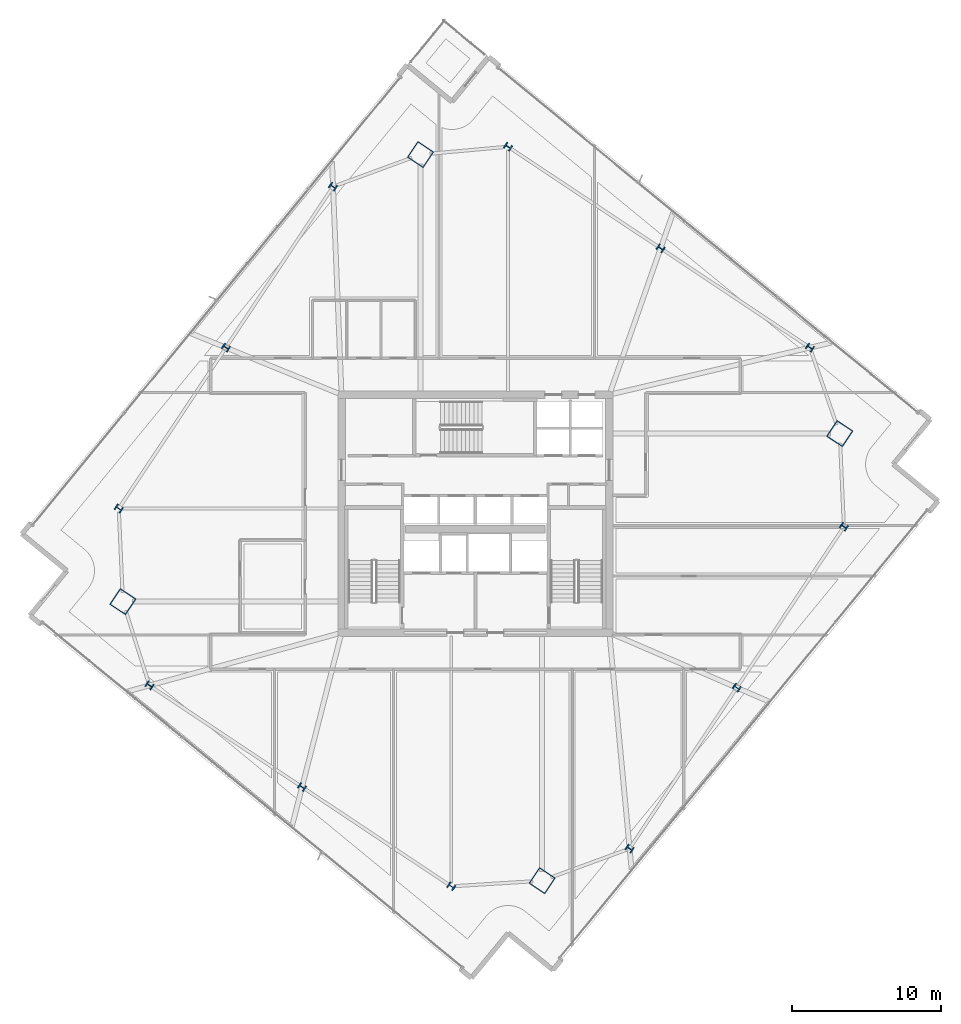
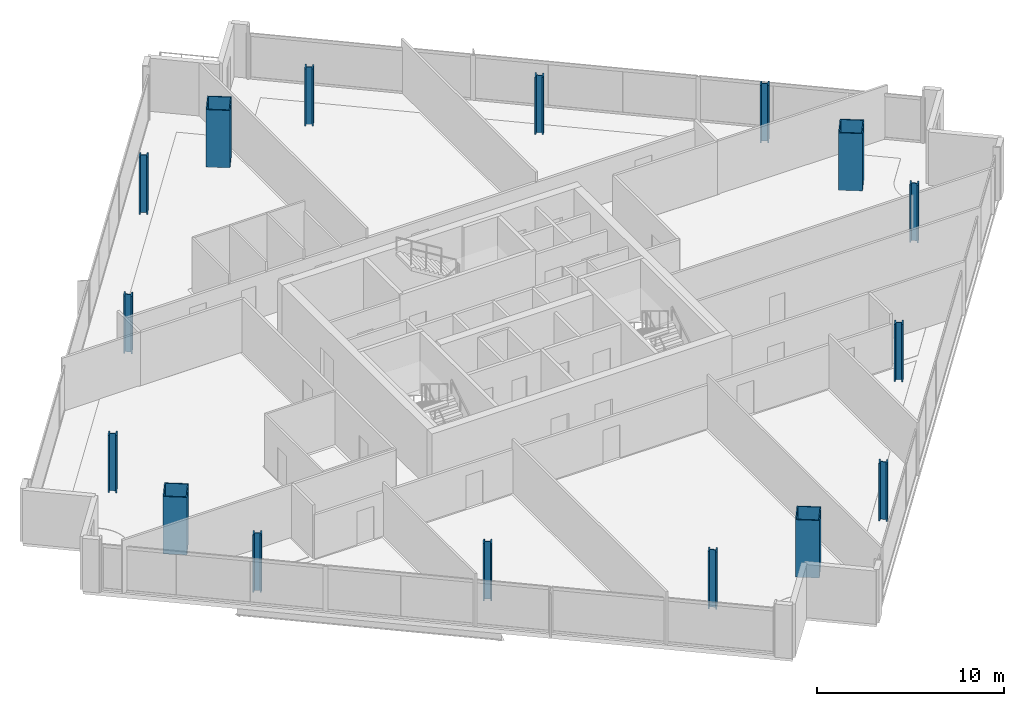
# One storey, part 1 of 28: 16 columns.
"""IFC4 building model written with IfcOpenShell, lengths in metres."""

from ifc_helpers import new_model, si_unit, direction, frame, origin, origin_2d, place, context, subcontext, project, spatial, hollow_rectangle, i_section, extrude, material, material_profile, profile_set, type_object, element, save


model = new_model("IFC4")

# Units and contexts
model_context = context("Model", 3, precision=1e-05, world=origin(), true_north=direction((0.0, 1.0)))
body_context = subcontext(model_context, "Body", "Model", "MODEL_VIEW")
ifc_project = project(units=[si_unit("LENGTHUNIT", "METRE"), si_unit("AREAUNIT", "SQUARE_METRE"), si_unit("VOLUMEUNIT", "CUBIC_METRE"), si_unit("PLANEANGLEUNIT", "RADIAN"), si_unit("MASSUNIT", "GRAM", prefix="KILO")], contexts=[model_context])

# Site, building, storey
site_placement = place(None, origin())
site = spatial("IfcSite", under=ifc_project, at=site_placement, CompositionType="ELEMENT")
building_placement = place(site_placement, origin())
building = spatial("IfcBuilding", under=site, at=building_placement, Name="Haldenkirk Collegiate Tower", CompositionType="ELEMENT")
storey_placement = place(building_placement, frame((0.0, 0.0, 198.449951171875)))
storey = spatial("IfcBuildingStorey", under=building, at=storey_placement, Name="L49", CompositionType="ELEMENT", Elevation=198.449951171875)

# Columns
ifc_material_1 = material(Name="Steel ASTM A913 Grade 65", Category="steel")
ifc_material_profile_1 = material_profile(ifc_material_1, i_section(OverallWidth=0.424072265625, OverallDepth=0.47412109375, WebThickness=0.047607421875, FlangeThickness=0.0771484375, at=origin_2d()), Name="W14X426")
ifc_profile_set_1 = profile_set([ifc_material_profile_1], Name="Steel ASTM A913 Grade 65")
column_type_1 = type_object("IfcColumnType", Name="COL-INT-W14X426", PredefinedType="COLUMN", material=ifc_profile_set_1)
for number, where, z_axis, x_axis, name in (
    (1, (46.363037109375, 3.48974609375, 0.0), (0.0, 0.0, 1.0), (0.554118199338, 0.832437998389, 0.0), "L49 perimeter gravity column PC-S1"),
    (2, (53.564453125, 14.30810546875, 0.0), (0.0, 0.0, 1.0), (0.554118199338, 0.832437998389, 0.0), "L49 perimeter gravity column PC-S2"),
    (3, (60.765869140625, 25.12646484375, 0.0), (0.0, 0.0, 1.0), (0.554118199338, 0.832437998389, 0.0), "L49 perimeter gravity column PC-S3"),
    (4, (58.48095703125, 37.16357421875, 0.0), (0.0, 0.0, 1.0), (0.554118199338, 0.832437998389, 0.0), "L49 perimeter gravity column PC-E1"),
    (5, (48.447509765625, 43.84228515625, 0.0), (0.0, 0.0, 1.0), (0.554118199338, 0.832437998389, 0.0), "L49 perimeter gravity column PC-E2"),
    (6, (38.192626953125, 50.66845703125, 0.0), (0.0, 0.0, 1.0), (0.554118199338, 0.832437998389, 0.0), "L49 perimeter gravity column PC-E3"),
    (7, (26.427734375, 47.98388671875, 0.0), (0.0, 0.0, 1.0), (0.554118199338, 0.832437998389, 0.0), "L49 perimeter gravity column PC-N1"),
    (8, (19.226318359375, 37.16552734375, 0.0), (0.0, 0.0, 1.0), (0.554118199338, 0.832437998389, 0.0), "L49 perimeter gravity column PC-N2"),
    (9, (12.025146484375, 26.34716796875, 0.0), (0.0, 0.0, 1.0), (0.554118199338, 0.832437998389, 0.0), "L49 perimeter gravity column PC-N3"),
    (10, (14.08837890625, 14.45751953125, 0.0), (0.0, 0.0, 1.0), (0.554118199338, 0.832437998389, 0.0), "L49 perimeter gravity column PC-W1"),
    (11, (24.34326171875, 7.63134765625, 0.0), (0.0, 0.0, 1.0), (0.554118199338, 0.832437998389, 0.0), "L49 perimeter gravity column PC-W2"),
    (12, (34.376708984375, 0.952392578125, 0.0), (0.0, 0.0, 1.0), (0.554118199338, 0.832437998389, 0.0), "L49 perimeter gravity column PC-W3"),
):
    element("IfcColumn", number, at=place(storey_placement, frame(where, z_axis=z_axis, x_axis=x_axis)), inside=storey, type_object=column_type_1, Name=name, PredefinedType="COLUMN", context=body_context, shape_type="SweptSolid", body=[
        extrude(i_section(OverallWidth=0.424072265625, OverallDepth=0.47412109375, WebThickness=0.047607421875, FlangeThickness=0.0771484375, at=origin_2d()), origin(), (0.0, 0.0, 1.0), 3.75),
    ])
ifc_material_2 = material(Name="Steel ASTM A572 Grade 50", Category="steel")
ifc_material_profile_2 = material_profile(ifc_material_2, hollow_rectangle(XDim=1.300048828125, YDim=1.300048828125, WallThickness=0.06005859375, at=origin_2d()), Name="BOX1300X1300X60")
ifc_profile_set_2 = profile_set([ifc_material_profile_2], Name="Steel ASTM A572 Grade 50")
column_type_2 = type_object("IfcColumnType", Name="COL-MEGA-BOX1300X1300X60", PredefinedType="COLUMN", material=ifc_profile_set_2)
for number, where, z_axis, x_axis, name in (
    (13, (40.482666015625, 1.332763671875, 0.0), (0.0, 0.0, 1.0), (0.554118199338, 0.832437998389, 0.0), "L49 corner mega-column MC1"),
    (14, (60.486328125, 31.3837890625, 0.0), (0.0, 0.0, 1.0), (0.554118199338, 0.832437998389, 0.0), "L49 corner mega-column MC2"),
    (15, (32.30810546875, 50.140869140625, 0.0), (0.0, 0.0, 1.0), (0.554118199338, 0.832437998389, 0.0), "L49 corner mega-column MC3"),
    (16, (12.3046875, 20.089599609375, 0.0), (0.0, 0.0, 1.0), (0.554118199338, 0.832437998389, 0.0), "L49 corner mega-column MC4"),
):
    element("IfcColumn", number, at=place(storey_placement, frame(where, z_axis=z_axis, x_axis=x_axis)), inside=storey, type_object=column_type_2, Name=name, PredefinedType="COLUMN", context=body_context, shape_type="SweptSolid", body=[
        extrude(hollow_rectangle(XDim=1.300048828125, YDim=1.300048828125, WallThickness=0.06005859375, at=origin_2d()), origin(), (0.0, 0.0, 1.0), 3.75),
    ])

save(model, "model.ifc")
